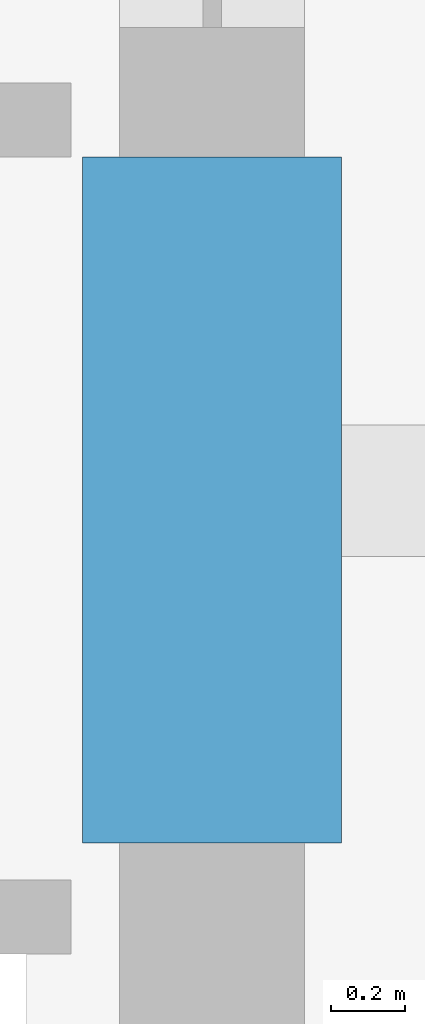
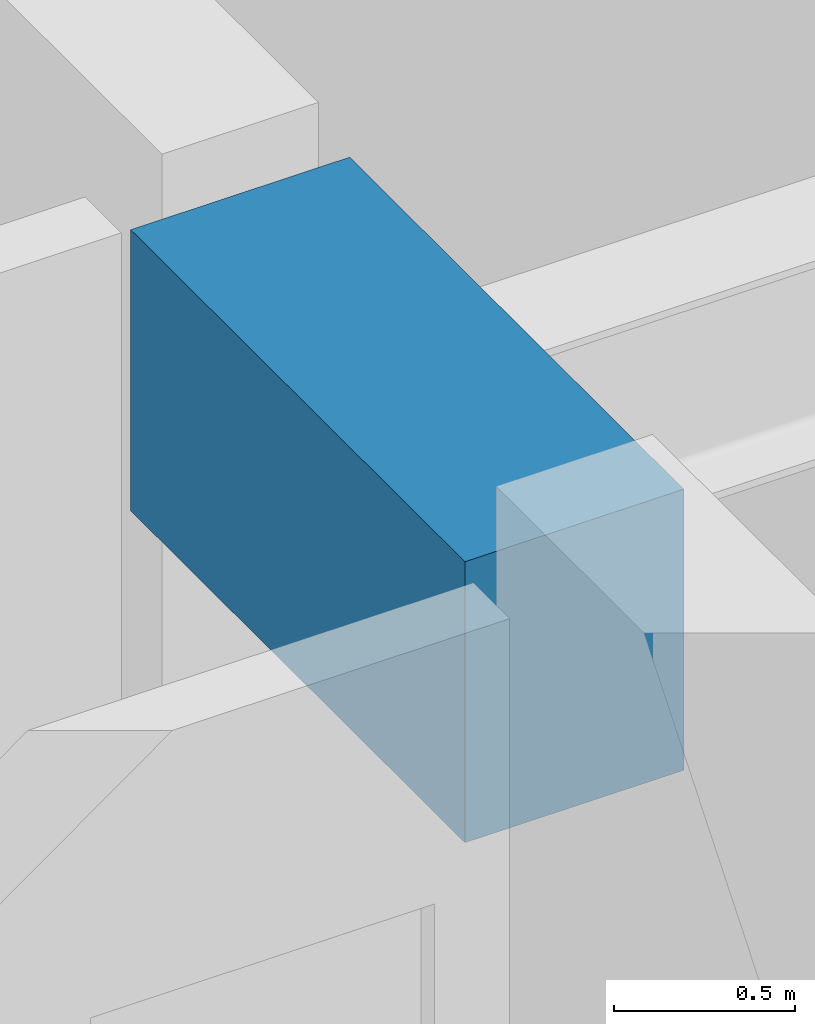
# One storey, part 10 of 36: 1 beam.
"""IFC4 building model written with IfcOpenShell, lengths in metres."""

from ifc_helpers import new_model, si_unit, direction, frame, origin, origin_2d, place, context, subcontext, project, spatial, rectangle, extrude, material, material_profile, profile_set, type_object, element, save


model = new_model("IFC4")

# Units and contexts
model_context = context("Model", 3, precision=1e-05, world=origin(), true_north=direction((0.0, 1.0)))
body_context = subcontext(model_context, "Body", "Model", "MODEL_VIEW")
ifc_project = project(units=[si_unit("LENGTHUNIT", "METRE"), si_unit("AREAUNIT", "SQUARE_METRE"), si_unit("VOLUMEUNIT", "CUBIC_METRE"), si_unit("PLANEANGLEUNIT", "RADIAN"), si_unit("MASSUNIT", "GRAM", prefix="KILO")], contexts=[model_context])

# Site, building, storey
site_placement = place(None, origin())
site = spatial("IfcSite", under=ifc_project, at=site_placement, CompositionType="ELEMENT")
building_placement = place(site_placement, origin())
building = spatial("IfcBuilding", under=site, at=building_placement, Name="Kolvaren Belvedere", CompositionType="ELEMENT")
storey_placement = place(building_placement, frame((0.0, 0.0, 199.800048828125)))
storey = spatial("IfcBuildingStorey", under=building, at=storey_placement, Name="L58", CompositionType="ELEMENT", Elevation=199.800048828125)

# Beam
ifc_material = material(Name="Concrete C60/75", Category="concrete")
ifc_material_profile = material_profile(ifc_material, rectangle(XDim=0.699951171875, YDim=0.949951171875, at=origin_2d()), Name="RC 700X950")
ifc_profile_set = profile_set([ifc_material_profile], Name="Concrete C60/75")
beam_type = type_object("IfcBeamType", Name="BM-LINT-950", PredefinedType="LINTEL", material=ifc_profile_set)
beam_placement = place(storey_placement, frame((9.89990234375, -5.550048828125, 2.60498046875), z_axis=(0.0, 1.0, 0.0), x_axis=(-1.0, 0.0, 0.0)))
element("IfcBeam", 1, at=beam_placement, inside=storey, type_object=beam_type, Name="L58 East Core Coupling Lintel", PredefinedType="LINTEL", context=body_context, shape_type="SweptSolid", body=[
    extrude(rectangle(XDim=0.699951171875, YDim=0.949951171875, at=origin_2d()), origin(), (0.0, 0.0, 1.0), 1.85009765625),
])

save(model, "model.ifc")
